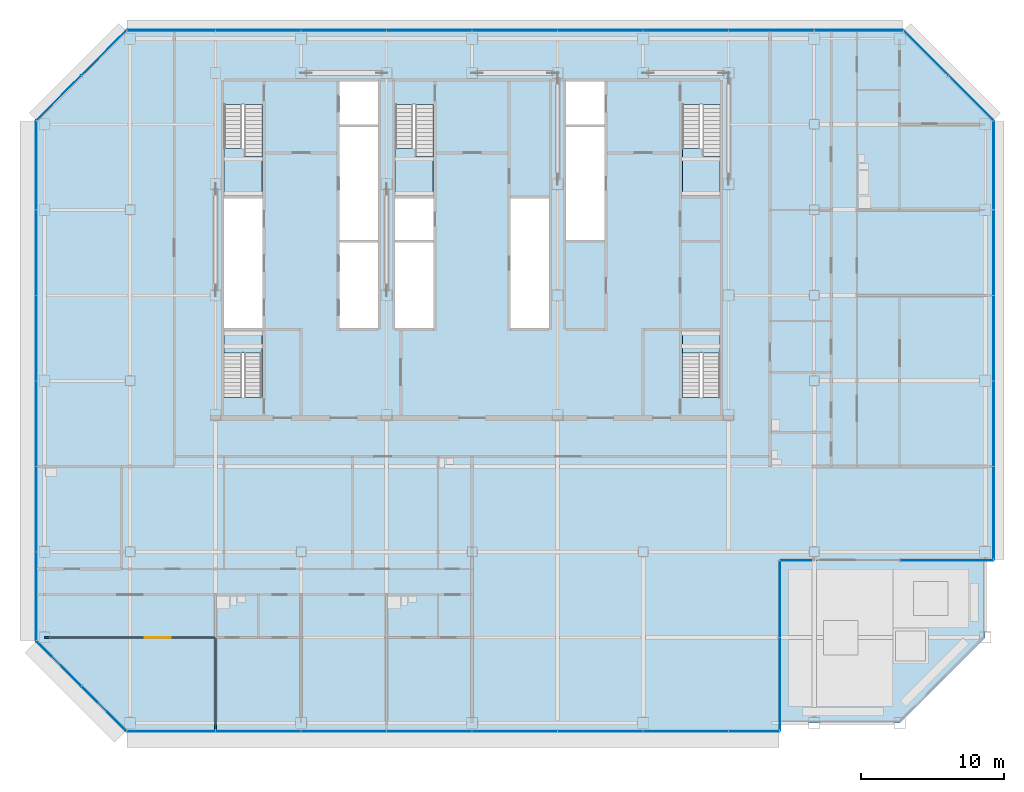
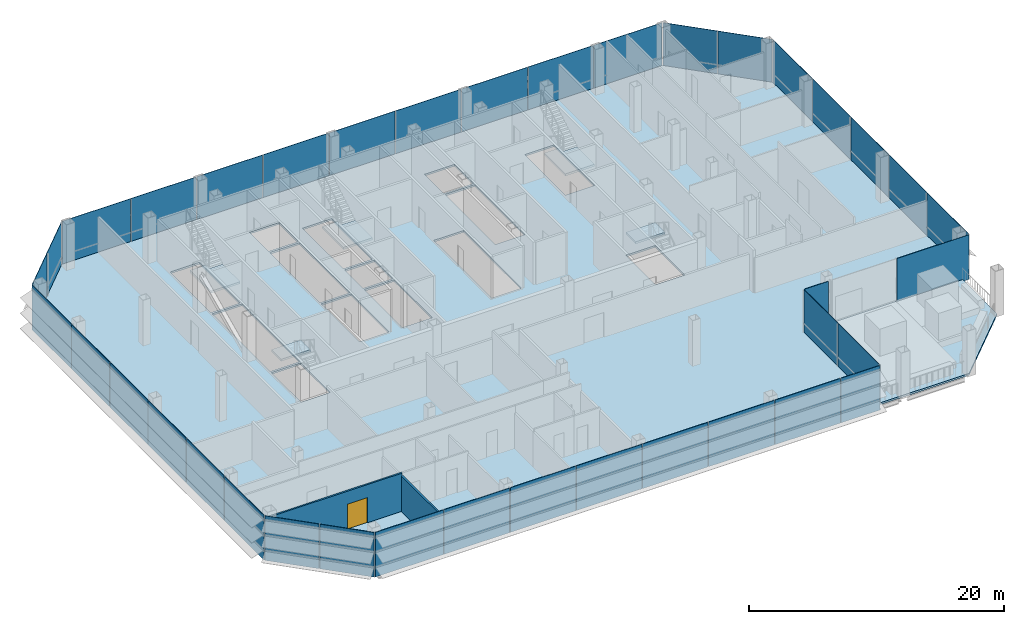
# One storey, part 18 of 28: 38 plates, 7 slabs, 2 walls, 1 door, 1 opening, 14 elements without a shape of their own.
"""IFC4 building model written with IfcOpenShell, lengths in metres."""

from ifc_helpers import new_model, si_unit, direction, frame, frame_2d, origin, origin_2d, place, context, subcontext, project, spatial, polyline, rectangle, outline, extrude, material, layer, layer_set, type_object, element, fill, aggregate, save


model = new_model("IFC4")

# Units and contexts
model_context = context("Model", 3, precision=1e-05, world=origin(), true_north=direction((0.0, 1.0)))
body_context = subcontext(model_context, "Body", "Model", "MODEL_VIEW")
ifc_project = project(units=[si_unit("LENGTHUNIT", "METRE"), si_unit("AREAUNIT", "SQUARE_METRE"), si_unit("VOLUMEUNIT", "CUBIC_METRE"), si_unit("PLANEANGLEUNIT", "RADIAN"), si_unit("MASSUNIT", "GRAM", prefix="KILO")], contexts=[model_context])

# Site, building, storey
site_placement = place(None, origin())
site = spatial("IfcSite", under=ifc_project, at=site_placement, CompositionType="ELEMENT")
building_placement = place(site_placement, origin())
building = spatial("IfcBuilding", under=site, at=building_placement, Name="Sorahane Residences", CompositionType="ELEMENT")
storey_placement = place(building_placement, frame((0.0, 0.0, 134.0)))
storey = spatial("IfcBuildingStorey", under=building, at=storey_placement, Name="L30", CompositionType="ELEMENT", Elevation=134.0)

# Slab
ifc_material_1 = material(Name="Concrete C35", Category="concrete")
ifc_layer_1 = layer(ifc_material_1, 0.179931640625)
ifc_layer_set_1 = layer_set([ifc_layer_1], Name="Composite floor slab 180 mm Concrete C35")
slab_type_1 = type_object("IfcSlabType", Name="Composite floor slab 180 mm Concrete C35", PredefinedType="FLOOR", material=ifc_layer_set_1)
slab_1_placement = place(storey_placement, frame((0.0, 0.0, -0.179931640625)))
element("IfcSlab", 1, at=slab_1_placement, inside=storey, type_object=slab_type_1, Name="Slab L30", PredefinedType="FLOOR", context=body_context, shape_type="SweptSolid", body=[
    extrude(outline(polyline([(-0.24853515625, -0.60009765625), (-6.60009765625, 5.75146484375), (-6.60009765625, 42.24853515625), (-0.24853515625, 48.60009765625), (54.24853515625, 48.60009765625), (60.60009765625, 42.24853515625), (60.60009765625, 11.39990234375), (45.60009765625, 11.39990234375), (45.60009765625, -0.60009765625), (-0.24853515625, -0.60009765625)]), holes=[polyline([(18.60009765625, 27.699951171875), (21.300048828125, 27.699951171875), (21.300048828125, 33.699951171875), (18.60009765625, 33.699951171875), (18.60009765625, 27.699951171875)]), polyline([(30.60009765625, 42.0), (33.300048828125, 42.0), (33.300048828125, 45.0), (30.60009765625, 45.0), (30.60009765625, 42.0)]), polyline([(14.699951171875, 27.699951171875), (17.39990234375, 27.699951171875), (17.39990234375, 33.699951171875), (14.699951171875, 33.699951171875), (14.699951171875, 27.699951171875)]), polyline([(14.699951171875, 42.0), (17.39990234375, 42.0), (17.39990234375, 45.0), (14.699951171875, 45.0), (14.699951171875, 42.0)]), polyline([(6.60009765625, 27.699951171875), (9.300048828125, 27.699951171875), (9.300048828125, 36.800048828125), (6.60009765625, 36.800048828125), (6.60009765625, 27.699951171875)]), polyline([(6.60009765625, 43.39990234375), (6.60009765625, 37.0), (9.25, 37.0), (9.25, 43.39990234375), (6.60009765625, 43.39990234375)]), polyline([(38.75, 43.39990234375), (38.75, 37.0), (41.39990234375, 37.0), (41.39990234375, 43.39990234375), (38.75, 43.39990234375)]), polyline([(18.60009765625, 43.39990234375), (18.60009765625, 37.0), (21.25, 37.0), (21.25, 43.39990234375), (18.60009765625, 43.39990234375)]), polyline([(9.25, 22.85009765625), (9.25, 27.5), (6.60009765625, 27.5), (6.60009765625, 22.85009765625), (9.25, 22.85009765625)]), polyline([(41.39990234375, 22.85009765625), (41.39990234375, 27.5), (38.75, 27.5), (38.75, 22.85009765625), (41.39990234375, 22.85009765625)]), polyline([(14.699951171875, 33.89990234375), (17.39990234375, 33.89990234375), (17.39990234375, 41.800048828125), (14.699951171875, 41.800048828125), (14.699951171875, 33.89990234375)]), polyline([(30.60009765625, 33.89990234375), (33.300048828125, 33.89990234375), (33.300048828125, 41.800048828125), (30.60009765625, 41.800048828125), (30.60009765625, 33.89990234375)]), polyline([(18.60009765625, 33.89990234375), (21.300048828125, 33.89990234375), (21.300048828125, 36.800048828125), (18.60009765625, 36.800048828125), (18.60009765625, 33.89990234375)]), polyline([(26.699951171875, 27.699951171875), (29.39990234375, 27.699951171875), (29.39990234375, 36.800048828125), (26.699951171875, 36.800048828125), (26.699951171875, 27.699951171875)])]), origin(), (0.0, 0.0, 1.0), 0.179931640625),
])

# Curtain wall, plates
ifc_material_2 = material(Name="Dark low-e glass and black anodised aluminium", Category="aluminium")
curtain_wall_type_1 = type_object("IfcCurtainWallType", Name="Curtain wall CW-1 Typical unitised wall", PredefinedType="NOTDEFINED", material=ifc_material_2)
curtain_wall_1_placement = place(storey_placement, origin())
curtain_wall_1 = element("IfcCurtainWall", 2, at=curtain_wall_1_placement, inside=storey, type_object=curtain_wall_type_1, Name="CW-1 curtain wall L30 S1", PredefinedType="NOTDEFINED")
ifc_material_3 = material(Name="Dark low-e glass with black ceramic frit", Category="glass")
ifc_layer_2 = layer(ifc_material_3, 0.0400390625)
ifc_layer_set_2 = layer_set([ifc_layer_2], Name="Curtain wall glass panel dark low-e with black frit spandrel band")
plate_type = type_object("IfcPlateType", Name="Curtain wall glass panel dark low-e with black frit spandrel band", PredefinedType="CURTAIN_PANEL", material=ifc_layer_set_2)
plate_1_placement = place(storey_placement, frame((2.88818359375, -0.60009765625, -0.18017578125), z_axis=(0.0, 0.0, 1.0), x_axis=(1.0, 0.0, 0.0)))
plate_1 = element("IfcPlate", 3, at=plate_1_placement, type_object=plate_type, Name="CW-1 glass panel L30 S1.1", PredefinedType="CURTAIN_PANEL", context=body_context, shape_type="SweptSolid", body=[
    extrude(rectangle(XDim=6.173583984375, YDim=0.0400390625, at=origin_2d()), origin(), (0.0, 0.0, 1.0), 4.280029296875),
])
plate_2_placement = place(storey_placement, frame((9.0, -0.60009765625, -0.18017578125), z_axis=(0.0, 0.0, 1.0), x_axis=(1.0, 0.0, 0.0)))
plate_2 = element("IfcPlate", 4, at=plate_2_placement, type_object=plate_type, Name="CW-1 glass panel L30 S1.2", PredefinedType="CURTAIN_PANEL", context=body_context, shape_type="SweptSolid", body=[
    extrude(rectangle(XDim=5.949951171875, YDim=0.0400390625, at=origin_2d()), origin(), (0.0, 0.0, 1.0), 4.280029296875),
])
plate_3_placement = place(storey_placement, frame((15.0, -0.60009765625, -0.18017578125), z_axis=(0.0, 0.0, 1.0), x_axis=(1.0, 0.0, 0.0)))
plate_3 = element("IfcPlate", 5, at=plate_3_placement, type_object=plate_type, Name="CW-1 glass panel L30 S1.3", PredefinedType="CURTAIN_PANEL", context=body_context, shape_type="SweptSolid", body=[
    extrude(rectangle(XDim=5.949951171875, YDim=0.0400390625, at=origin_2d()), origin(), (0.0, 0.0, 1.0), 4.280029296875),
])
plate_4_placement = place(storey_placement, frame((21.0, -0.60009765625, -0.18017578125), z_axis=(0.0, 0.0, 1.0), x_axis=(1.0, 0.0, 0.0)))
plate_4 = element("IfcPlate", 6, at=plate_4_placement, type_object=plate_type, Name="CW-1 glass panel L30 S1.4", PredefinedType="CURTAIN_PANEL", context=body_context, shape_type="SweptSolid", body=[
    extrude(rectangle(XDim=5.949951171875, YDim=0.0400390625, at=origin_2d()), origin(), (0.0, 0.0, 1.0), 4.280029296875),
])
plate_5_placement = place(storey_placement, frame((27.0, -0.60009765625, -0.18017578125), z_axis=(0.0, 0.0, 1.0), x_axis=(1.0, 0.0, 0.0)))
plate_5 = element("IfcPlate", 7, at=plate_5_placement, type_object=plate_type, Name="CW-1 glass panel L30 S1.5", PredefinedType="CURTAIN_PANEL", context=body_context, shape_type="SweptSolid", body=[
    extrude(rectangle(XDim=5.949951171875, YDim=0.0400390625, at=origin_2d()), origin(), (0.0, 0.0, 1.0), 4.280029296875),
])
plate_6_placement = place(storey_placement, frame((33.0, -0.60009765625, -0.18017578125), z_axis=(0.0, 0.0, 1.0), x_axis=(1.0, 0.0, 0.0)))
plate_6 = element("IfcPlate", 8, at=plate_6_placement, type_object=plate_type, Name="CW-1 glass panel L30 S1.6", PredefinedType="CURTAIN_PANEL", context=body_context, shape_type="SweptSolid", body=[
    extrude(rectangle(XDim=5.949951171875, YDim=0.0400390625, at=origin_2d()), origin(), (0.0, 0.0, 1.0), 4.280029296875),
])
plate_7_placement = place(storey_placement, frame((39.0, -0.60009765625, -0.18017578125), z_axis=(0.0, 0.0, 1.0), x_axis=(1.0, 0.0, 0.0)))
plate_7 = element("IfcPlate", 9, at=plate_7_placement, type_object=plate_type, Name="CW-1 glass panel L30 S1.7", PredefinedType="CURTAIN_PANEL", context=body_context, shape_type="SweptSolid", body=[
    extrude(rectangle(XDim=5.949951171875, YDim=0.0400390625, at=origin_2d()), origin(), (0.0, 0.0, 1.0), 4.280029296875),
])
plate_8_placement = place(storey_placement, frame((43.78759765625, -0.60009765625, -0.18017578125), z_axis=(0.0, 0.0, 1.0), x_axis=(1.0, 0.0, 0.0)))
plate_8 = element("IfcPlate", 10, at=plate_8_placement, type_object=plate_type, Name="CW-1 glass panel L30 S1.8", PredefinedType="CURTAIN_PANEL", context=body_context, shape_type="SweptSolid", body=[
    extrude(rectangle(XDim=3.52490234375, YDim=0.0400390625, at=origin_2d()), origin(), (0.0, 0.0, 1.0), 4.280029296875),
])
aggregate(curtain_wall_1, [plate_1, plate_2, plate_3, plate_4, plate_5, plate_6, plate_7, plate_8])

curtain_wall_2_placement = place(storey_placement, origin())
curtain_wall_2 = element("IfcCurtainWall", 11, at=curtain_wall_2_placement, inside=storey, type_object=curtain_wall_type_1, Name="CW-1 curtain wall L30 E1", PredefinedType="NOTDEFINED")
plate_9_placement = place(storey_placement, frame((45.60009765625, 2.71240234375, -0.18017578125), z_axis=(0.0, 0.0, 1.0), x_axis=(0.0, 1.0, 0.0)))
plate_9 = element("IfcPlate", 12, at=plate_9_placement, type_object=plate_type, Name="CW-1 glass panel L30 E1.1", PredefinedType="CURTAIN_PANEL", context=body_context, shape_type="SweptSolid", body=[
    extrude(rectangle(XDim=6.52490234375, YDim=0.0400390625, at=origin_2d()), origin(), (0.0, 0.0, 1.0), 4.280029296875),
])
plate_10_placement = place(storey_placement, frame((45.60009765625, 8.6875, -0.18017578125), z_axis=(0.0, 0.0, 1.0), x_axis=(0.0, 1.0, 0.0)))
plate_10 = element("IfcPlate", 13, at=plate_10_placement, type_object=plate_type, Name="CW-1 glass panel L30 E1.2", PredefinedType="CURTAIN_PANEL", context=body_context, shape_type="SweptSolid", body=[
    extrude(rectangle(XDim=5.324951171875, YDim=0.0400390625, at=origin_2d()), origin(), (0.0, 0.0, 1.0), 4.280029296875),
])
aggregate(curtain_wall_2, [plate_9, plate_10])

curtain_wall_3_placement = place(storey_placement, origin())
curtain_wall_3 = element("IfcCurtainWall", 14, at=curtain_wall_3_placement, inside=storey, type_object=curtain_wall_type_1, Name="CW-1 curtain wall L30 S2", PredefinedType="NOTDEFINED")
plate_11_placement = place(storey_placement, frame((46.72509765625, 11.39990234375, -0.18017578125), z_axis=(0.0, 0.0, 1.0), x_axis=(1.0, 0.0, 0.0)))
plate_11 = element("IfcPlate", 15, at=plate_11_placement, type_object=plate_type, Name="CW-1 glass panel L30 S2.1", PredefinedType="CURTAIN_PANEL", context=body_context, shape_type="SweptSolid", body=[
    extrude(rectangle(XDim=2.14990234375, YDim=0.0400390625, at=origin_2d()), origin(), (0.0, 0.0, 1.0), 4.280029296875),
])
plate_12_placement = place(storey_placement, frame((57.28759765625, 11.39990234375, -0.18017578125), z_axis=(0.0, 0.0, 1.0), x_axis=(1.0, 0.0, 0.0)))
plate_12 = element("IfcPlate", 16, at=plate_12_placement, type_object=plate_type, Name="CW-1 glass panel L30 S2.3", PredefinedType="CURTAIN_PANEL", context=body_context, shape_type="SweptSolid", body=[
    extrude(rectangle(XDim=6.52490234375, YDim=0.0400390625, at=origin_2d()), origin(), (0.0, 0.0, 1.0), 4.280029296875),
])
aggregate(curtain_wall_3, [plate_11, plate_12])

curtain_wall_4_placement = place(storey_placement, origin())
curtain_wall_4 = element("IfcCurtainWall", 17, at=curtain_wall_4_placement, inside=storey, type_object=curtain_wall_type_1, Name="CW-1 curtain wall L30 E2", PredefinedType="NOTDEFINED")
plate_13_placement = place(storey_placement, frame((60.60009765625, 14.71240234375, -0.18017578125), z_axis=(0.0, 0.0, 1.0), x_axis=(0.0, 1.0, 0.0)))
plate_13 = element("IfcPlate", 18, at=plate_13_placement, type_object=plate_type, Name="CW-1 glass panel L30 E2.1", PredefinedType="CURTAIN_PANEL", context=body_context, shape_type="SweptSolid", body=[
    extrude(rectangle(XDim=6.52490234375, YDim=0.0400390625, at=origin_2d()), origin(), (0.0, 0.0, 1.0), 4.280029296875),
])
plate_14_placement = place(storey_placement, frame((60.60009765625, 21.0, -0.18017578125), z_axis=(0.0, 0.0, 1.0), x_axis=(0.0, 1.0, 0.0)))
plate_14 = element("IfcPlate", 19, at=plate_14_placement, type_object=plate_type, Name="CW-1 glass panel L30 E2.2", PredefinedType="CURTAIN_PANEL", context=body_context, shape_type="SweptSolid", body=[
    extrude(rectangle(XDim=5.949951171875, YDim=0.0400390625, at=origin_2d()), origin(), (0.0, 0.0, 1.0), 4.280029296875),
])
plate_15_placement = place(storey_placement, frame((60.60009765625, 27.0, -0.18017578125), z_axis=(0.0, 0.0, 1.0), x_axis=(0.0, 1.0, 0.0)))
plate_15 = element("IfcPlate", 20, at=plate_15_placement, type_object=plate_type, Name="CW-1 glass panel L30 E2.3", PredefinedType="CURTAIN_PANEL", context=body_context, shape_type="SweptSolid", body=[
    extrude(rectangle(XDim=5.949951171875, YDim=0.0400390625, at=origin_2d()), origin(), (0.0, 0.0, 1.0), 4.280029296875),
])
plate_16_placement = place(storey_placement, frame((60.60009765625, 33.0, -0.18017578125), z_axis=(0.0, 0.0, 1.0), x_axis=(0.0, 1.0, 0.0)))
plate_16 = element("IfcPlate", 21, at=plate_16_placement, type_object=plate_type, Name="CW-1 glass panel L30 E2.4", PredefinedType="CURTAIN_PANEL", context=body_context, shape_type="SweptSolid", body=[
    extrude(rectangle(XDim=5.949951171875, YDim=0.0400390625, at=origin_2d()), origin(), (0.0, 0.0, 1.0), 4.280029296875),
])
plate_17_placement = place(storey_placement, frame((60.60009765625, 39.11181640625, -0.18017578125), z_axis=(0.0, 0.0, 1.0), x_axis=(0.0, 1.0, 0.0)))
plate_17 = element("IfcPlate", 22, at=plate_17_placement, type_object=plate_type, Name="CW-1 glass panel L30 E2.5", PredefinedType="CURTAIN_PANEL", context=body_context, shape_type="SweptSolid", body=[
    extrude(rectangle(XDim=6.173583984375, YDim=0.0400390625, at=origin_2d()), origin(), (0.0, 0.0, 1.0), 4.280029296875),
])
aggregate(curtain_wall_4, [plate_13, plate_14, plate_15, plate_16, plate_17])

ifc_material_4 = material(Name="Dark low-e glass and black anodised aluminium", Category="aluminium")
curtain_wall_type_2 = type_object("IfcCurtainWallType", Name="Curtain wall CW-2 Chamfer unitised wall", PredefinedType="NOTDEFINED", material=ifc_material_4)
curtain_wall_5_placement = place(storey_placement, origin())
curtain_wall_5 = element("IfcCurtainWall", 23, at=curtain_wall_5_placement, inside=storey, type_object=curtain_wall_type_2, Name="CW-2 curtain wall L30 NE1", PredefinedType="NOTDEFINED")
plate_18_placement = place(storey_placement, frame((59.003173828125, 43.84521484375, -0.18017578125), z_axis=(0.0, 0.0, 1.0), x_axis=(-0.707106781187, 0.707106781187, 0.0)))
plate_18 = element("IfcPlate", 24, at=plate_18_placement, type_object=plate_type, Name="CW-2 glass panel L30 NE1.1", PredefinedType="CURTAIN_PANEL", context=body_context, shape_type="SweptSolid", body=[
    extrude(rectangle(XDim=4.416259765625, YDim=0.0400390625, at=origin_2d()), origin(), (0.0, 0.0, 1.0), 4.280029296875),
])
plate_19_placement = place(storey_placement, frame((55.84521484375, 47.003173828125, -0.18017578125), z_axis=(0.0, 0.0, 1.0), x_axis=(-0.707106781187, 0.707106781187, 0.0)))
plate_19 = element("IfcPlate", 25, at=plate_19_placement, type_object=plate_type, Name="CW-2 glass panel L30 NE1.2", PredefinedType="CURTAIN_PANEL", context=body_context, shape_type="SweptSolid", body=[
    extrude(rectangle(XDim=4.416259765625, YDim=0.0400390625, at=origin_2d()), origin(), (0.0, 0.0, 1.0), 4.280029296875),
])
aggregate(curtain_wall_5, [plate_18, plate_19])

curtain_wall_6_placement = place(storey_placement, origin())
curtain_wall_6 = element("IfcCurtainWall", 26, at=curtain_wall_6_placement, inside=storey, type_object=curtain_wall_type_1, Name="CW-1 curtain wall L30 N1", PredefinedType="NOTDEFINED")
plate_20_placement = place(storey_placement, frame((51.11181640625, 48.60009765625, -0.18017578125), z_axis=(0.0, 0.0, 1.0), x_axis=(-1.0, 0.0, 0.0)))
plate_20 = element("IfcPlate", 27, at=plate_20_placement, type_object=plate_type, Name="CW-1 glass panel L30 N1.1", PredefinedType="CURTAIN_PANEL", context=body_context, shape_type="SweptSolid", body=[
    extrude(rectangle(XDim=6.173583984375, YDim=0.0400390625, at=origin_2d()), origin(), (0.0, 0.0, 1.0), 4.280029296875),
])
plate_21_placement = place(storey_placement, frame((45.0, 48.60009765625, -0.18017578125), z_axis=(0.0, 0.0, 1.0), x_axis=(-1.0, 0.0, 0.0)))
plate_21 = element("IfcPlate", 28, at=plate_21_placement, type_object=plate_type, Name="CW-1 glass panel L30 N1.2", PredefinedType="CURTAIN_PANEL", context=body_context, shape_type="SweptSolid", body=[
    extrude(rectangle(XDim=5.949951171875, YDim=0.0400390625, at=origin_2d()), origin(), (0.0, 0.0, 1.0), 4.280029296875),
])
plate_22_placement = place(storey_placement, frame((39.0, 48.60009765625, -0.18017578125), z_axis=(0.0, 0.0, 1.0), x_axis=(-1.0, 0.0, 0.0)))
plate_22 = element("IfcPlate", 29, at=plate_22_placement, type_object=plate_type, Name="CW-1 glass panel L30 N1.3", PredefinedType="CURTAIN_PANEL", context=body_context, shape_type="SweptSolid", body=[
    extrude(rectangle(XDim=5.949951171875, YDim=0.0400390625, at=origin_2d()), origin(), (0.0, 0.0, 1.0), 4.280029296875),
])
plate_23_placement = place(storey_placement, frame((33.0, 48.60009765625, -0.18017578125), z_axis=(0.0, 0.0, 1.0), x_axis=(-1.0, 0.0, 0.0)))
plate_23 = element("IfcPlate", 30, at=plate_23_placement, type_object=plate_type, Name="CW-1 glass panel L30 N1.4", PredefinedType="CURTAIN_PANEL", context=body_context, shape_type="SweptSolid", body=[
    extrude(rectangle(XDim=5.949951171875, YDim=0.0400390625, at=origin_2d()), origin(), (0.0, 0.0, 1.0), 4.280029296875),
])
plate_24_placement = place(storey_placement, frame((27.0, 48.60009765625, -0.18017578125), z_axis=(0.0, 0.0, 1.0), x_axis=(-1.0, 0.0, 0.0)))
plate_24 = element("IfcPlate", 31, at=plate_24_placement, type_object=plate_type, Name="CW-1 glass panel L30 N1.5", PredefinedType="CURTAIN_PANEL", context=body_context, shape_type="SweptSolid", body=[
    extrude(rectangle(XDim=5.949951171875, YDim=0.0400390625, at=origin_2d()), origin(), (0.0, 0.0, 1.0), 4.280029296875),
])
plate_25_placement = place(storey_placement, frame((21.0, 48.60009765625, -0.18017578125), z_axis=(0.0, 0.0, 1.0), x_axis=(-1.0, 0.0, 0.0)))
plate_25 = element("IfcPlate", 32, at=plate_25_placement, type_object=plate_type, Name="CW-1 glass panel L30 N1.6", PredefinedType="CURTAIN_PANEL", context=body_context, shape_type="SweptSolid", body=[
    extrude(rectangle(XDim=5.949951171875, YDim=0.0400390625, at=origin_2d()), origin(), (0.0, 0.0, 1.0), 4.280029296875),
])
plate_26_placement = place(storey_placement, frame((15.0, 48.60009765625, -0.18017578125), z_axis=(0.0, 0.0, 1.0), x_axis=(-1.0, 0.0, 0.0)))
plate_26 = element("IfcPlate", 33, at=plate_26_placement, type_object=plate_type, Name="CW-1 glass panel L30 N1.7", PredefinedType="CURTAIN_PANEL", context=body_context, shape_type="SweptSolid", body=[
    extrude(rectangle(XDim=5.949951171875, YDim=0.0400390625, at=origin_2d()), origin(), (0.0, 0.0, 1.0), 4.280029296875),
])
plate_27_placement = place(storey_placement, frame((9.0, 48.60009765625, -0.18017578125), z_axis=(0.0, 0.0, 1.0), x_axis=(-1.0, 0.0, 0.0)))
plate_27 = element("IfcPlate", 34, at=plate_27_placement, type_object=plate_type, Name="CW-1 glass panel L30 N1.8", PredefinedType="CURTAIN_PANEL", context=body_context, shape_type="SweptSolid", body=[
    extrude(rectangle(XDim=5.949951171875, YDim=0.0400390625, at=origin_2d()), origin(), (0.0, 0.0, 1.0), 4.280029296875),
])
plate_28_placement = place(storey_placement, frame((2.88818359375, 48.60009765625, -0.18017578125), z_axis=(0.0, 0.0, 1.0), x_axis=(-1.0, 0.0, 0.0)))
plate_28 = element("IfcPlate", 35, at=plate_28_placement, type_object=plate_type, Name="CW-1 glass panel L30 N1.9", PredefinedType="CURTAIN_PANEL", context=body_context, shape_type="SweptSolid", body=[
    extrude(rectangle(XDim=6.173583984375, YDim=0.0400390625, at=origin_2d()), origin(), (0.0, 0.0, 1.0), 4.280029296875),
])
aggregate(curtain_wall_6, [plate_20, plate_21, plate_22, plate_23, plate_24, plate_25, plate_26, plate_27, plate_28])

curtain_wall_7_placement = place(storey_placement, origin())
curtain_wall_7 = element("IfcCurtainWall", 36, at=curtain_wall_7_placement, inside=storey, type_object=curtain_wall_type_2, Name="CW-2 curtain wall L30 NW1", PredefinedType="NOTDEFINED")
plate_29_placement = place(storey_placement, frame((-1.84521484375, 47.003173828125, -0.18017578125), z_axis=(0.0, 0.0, 1.0), x_axis=(-0.707106781187, -0.707106781187, 0.0)))
plate_29 = element("IfcPlate", 37, at=plate_29_placement, type_object=plate_type, Name="CW-2 glass panel L30 NW1.1", PredefinedType="CURTAIN_PANEL", context=body_context, shape_type="SweptSolid", body=[
    extrude(rectangle(XDim=4.416259765625, YDim=0.0400390625, at=origin_2d()), origin(), (0.0, 0.0, 1.0), 4.280029296875),
])
plate_30_placement = place(storey_placement, frame((-5.003173828125, 43.84521484375, -0.18017578125), z_axis=(0.0, 0.0, 1.0), x_axis=(-0.707106781187, -0.707106781187, 0.0)))
plate_30 = element("IfcPlate", 38, at=plate_30_placement, type_object=plate_type, Name="CW-2 glass panel L30 NW1.2", PredefinedType="CURTAIN_PANEL", context=body_context, shape_type="SweptSolid", body=[
    extrude(rectangle(XDim=4.416259765625, YDim=0.0400390625, at=origin_2d()), origin(), (0.0, 0.0, 1.0), 4.280029296875),
])
aggregate(curtain_wall_7, [plate_29, plate_30])

curtain_wall_8_placement = place(storey_placement, origin())
curtain_wall_8 = element("IfcCurtainWall", 39, at=curtain_wall_8_placement, inside=storey, type_object=curtain_wall_type_1, Name="CW-1 curtain wall L30 W1", PredefinedType="NOTDEFINED")
plate_31_placement = place(storey_placement, frame((-6.60009765625, 39.11181640625, -0.18017578125), z_axis=(0.0, 0.0, 1.0), x_axis=(0.0, -1.0, 0.0)))
plate_31 = element("IfcPlate", 40, at=plate_31_placement, type_object=plate_type, Name="CW-1 glass panel L30 W1.1", PredefinedType="CURTAIN_PANEL", context=body_context, shape_type="SweptSolid", body=[
    extrude(rectangle(XDim=6.173583984375, YDim=0.0400390625, at=origin_2d()), origin(), (0.0, 0.0, 1.0), 4.280029296875),
])
plate_32_placement = place(storey_placement, frame((-6.60009765625, 33.0, -0.18017578125), z_axis=(0.0, 0.0, 1.0), x_axis=(0.0, -1.0, 0.0)))
plate_32 = element("IfcPlate", 41, at=plate_32_placement, type_object=plate_type, Name="CW-1 glass panel L30 W1.2", PredefinedType="CURTAIN_PANEL", context=body_context, shape_type="SweptSolid", body=[
    extrude(rectangle(XDim=5.949951171875, YDim=0.0400390625, at=origin_2d()), origin(), (0.0, 0.0, 1.0), 4.280029296875),
])
plate_33_placement = place(storey_placement, frame((-6.60009765625, 27.0, -0.18017578125), z_axis=(0.0, 0.0, 1.0), x_axis=(0.0, -1.0, 0.0)))
plate_33 = element("IfcPlate", 42, at=plate_33_placement, type_object=plate_type, Name="CW-1 glass panel L30 W1.3", PredefinedType="CURTAIN_PANEL", context=body_context, shape_type="SweptSolid", body=[
    extrude(rectangle(XDim=5.949951171875, YDim=0.0400390625, at=origin_2d()), origin(), (0.0, 0.0, 1.0), 4.280029296875),
])
plate_34_placement = place(storey_placement, frame((-6.60009765625, 21.0, -0.18017578125), z_axis=(0.0, 0.0, 1.0), x_axis=(0.0, -1.0, 0.0)))
plate_34 = element("IfcPlate", 43, at=plate_34_placement, type_object=plate_type, Name="CW-1 glass panel L30 W1.4", PredefinedType="CURTAIN_PANEL", context=body_context, shape_type="SweptSolid", body=[
    extrude(rectangle(XDim=5.949951171875, YDim=0.0400390625, at=origin_2d()), origin(), (0.0, 0.0, 1.0), 4.280029296875),
])
plate_35_placement = place(storey_placement, frame((-6.60009765625, 15.0, -0.18017578125), z_axis=(0.0, 0.0, 1.0), x_axis=(0.0, -1.0, 0.0)))
plate_35 = element("IfcPlate", 44, at=plate_35_placement, type_object=plate_type, Name="CW-1 glass panel L30 W1.5", PredefinedType="CURTAIN_PANEL", context=body_context, shape_type="SweptSolid", body=[
    extrude(rectangle(XDim=5.949951171875, YDim=0.0400390625, at=origin_2d()), origin(), (0.0, 0.0, 1.0), 4.280029296875),
])
plate_36_placement = place(storey_placement, frame((-6.60009765625, 8.88818359375, -0.18017578125), z_axis=(0.0, 0.0, 1.0), x_axis=(0.0, -1.0, 0.0)))
plate_36 = element("IfcPlate", 45, at=plate_36_placement, type_object=plate_type, Name="CW-1 glass panel L30 W1.6", PredefinedType="CURTAIN_PANEL", context=body_context, shape_type="SweptSolid", body=[
    extrude(rectangle(XDim=6.173583984375, YDim=0.0400390625, at=origin_2d()), origin(), (0.0, 0.0, 1.0), 4.280029296875),
])
aggregate(curtain_wall_8, [plate_31, plate_32, plate_33, plate_34, plate_35, plate_36])

curtain_wall_9_placement = place(storey_placement, origin())
curtain_wall_9 = element("IfcCurtainWall", 46, at=curtain_wall_9_placement, inside=storey, type_object=curtain_wall_type_2, Name="CW-2 curtain wall L30 SW1", PredefinedType="NOTDEFINED")
plate_37_placement = place(storey_placement, frame((-5.003173828125, 4.15478515625, -0.18017578125), z_axis=(0.0, 0.0, 1.0), x_axis=(0.707106781187, -0.707106781187, 0.0)))
plate_37 = element("IfcPlate", 47, at=plate_37_placement, type_object=plate_type, Name="CW-2 glass panel L30 SW1.1", PredefinedType="CURTAIN_PANEL", context=body_context, shape_type="SweptSolid", body=[
    extrude(rectangle(XDim=4.416259765625, YDim=0.0400390625, at=origin_2d()), origin(), (0.0, 0.0, 1.0), 4.280029296875),
])
plate_38_placement = place(storey_placement, frame((-1.84521484375, 0.996826171875, -0.18017578125), z_axis=(0.0, 0.0, 1.0), x_axis=(0.707106781187, -0.707106781187, 0.0)))
plate_38 = element("IfcPlate", 48, at=plate_38_placement, type_object=plate_type, Name="CW-2 glass panel L30 SW1.2", PredefinedType="CURTAIN_PANEL", context=body_context, shape_type="SweptSolid", body=[
    extrude(rectangle(XDim=4.416259765625, YDim=0.0400390625, at=origin_2d()), origin(), (0.0, 0.0, 1.0), 4.280029296875),
])
aggregate(curtain_wall_9, [plate_37, plate_38])

# Stair, slab
ifc_material_5 = material(Name="Concrete C40", Category="concrete")
stair_type = type_object("IfcStairType", Name="Dog-leg stair 1250 Concrete C40", PredefinedType="HALF_TURN_STAIR", material=ifc_material_5)
stair_1_placement = place(storey_placement, origin())
stair_1 = element("IfcStair", 49, at=stair_1_placement, inside=storey, type_object=stair_type, Name="L30 Stair S1", PredefinedType="HALF_TURN_STAIR")
ifc_material_6 = material(Name="Concrete C40", Category="concrete")
ifc_layer_3 = layer(ifc_material_6, 0.199951171875)
ifc_layer_set_3 = layer_set([ifc_layer_3], Name="Stair landing 200 Concrete C40")
slab_type_2 = type_object("IfcSlabType", Name="Stair landing 200 Concrete C40", PredefinedType="LANDING", material=ifc_layer_set_3)
slab_2_placement = place(storey_placement, frame((0.0, 0.0, 1.830810546875)))
slab_2 = element("IfcSlab", 50, at=slab_2_placement, type_object=slab_type_2, Name="S1 landing 1", PredefinedType="LANDING", context=body_context, shape_type="SweptSolid", body=[
    extrude(outline(polyline([(6.60009765625, 40.320068359375), (6.60009765625, 37.0), (9.25, 37.0), (9.25, 39.760009765625), (8.0, 39.760009765625), (8.0, 40.320068359375), (6.60009765625, 40.320068359375)])), origin(), (0.0, 0.0, 1.0), 0.199951171875),
])
aggregate(stair_1, [slab_2])

stair_2_placement = place(storey_placement, origin())
stair_2 = element("IfcStair", 51, at=stair_2_placement, inside=storey, type_object=stair_type, Name="L30 Stair S2", PredefinedType="HALF_TURN_STAIR")
slab_3_placement = place(storey_placement, frame((0.0, 0.0, 1.830810546875)))
slab_3 = element("IfcSlab", 52, at=slab_3_placement, type_object=slab_type_2, Name="S2 landing 1", PredefinedType="LANDING", context=body_context, shape_type="SweptSolid", body=[
    extrude(outline(polyline([(38.75, 40.320068359375), (38.75, 37.0), (41.39990234375, 37.0), (41.39990234375, 39.760009765625), (40.14990234375, 39.760009765625), (40.14990234375, 40.320068359375), (38.75, 40.320068359375)])), origin(), (0.0, 0.0, 1.0), 0.199951171875),
])
aggregate(stair_2, [slab_3])

stair_3_placement = place(storey_placement, origin())
stair_3 = element("IfcStair", 53, at=stair_3_placement, inside=storey, type_object=stair_type, Name="L30 Stair S3", PredefinedType="HALF_TURN_STAIR")
slab_4_placement = place(storey_placement, frame((0.0, 0.0, 1.830810546875)))
slab_4 = element("IfcSlab", 54, at=slab_4_placement, type_object=slab_type_2, Name="S3 landing 1", PredefinedType="LANDING", context=body_context, shape_type="SweptSolid", body=[
    extrude(outline(polyline([(18.60009765625, 40.320068359375), (18.60009765625, 37.0), (21.25, 37.0), (21.25, 39.760009765625), (20.0, 39.760009765625), (20.0, 40.320068359375), (18.60009765625, 40.320068359375)])), origin(), (0.0, 0.0, 1.0), 0.199951171875),
])
aggregate(stair_3, [slab_4])

stair_4_placement = place(storey_placement, origin())
stair_4 = element("IfcStair", 55, at=stair_4_placement, inside=storey, type_object=stair_type, Name="L30 Stair S4", PredefinedType="HALF_TURN_STAIR")
slab_5_placement = place(storey_placement, frame((0.0, 0.0, 2.0)))
slab_5 = element("IfcSlab", 56, at=slab_5_placement, type_object=slab_type_2, Name="S4 landing 1", PredefinedType="LANDING", context=body_context, shape_type="SweptSolid", body=[
    extrude(outline(polyline([(9.25, 25.969970703125), (9.25, 27.5), (6.60009765625, 27.5), (6.60009765625, 25.969970703125), (9.25, 25.969970703125)])), origin(), (0.0, 0.0, 1.0), 0.199951171875),
])
aggregate(stair_4, [slab_5])

stair_5_placement = place(storey_placement, origin())
stair_5 = element("IfcStair", 57, at=stair_5_placement, inside=storey, type_object=stair_type, Name="L30 Stair S5", PredefinedType="HALF_TURN_STAIR")
slab_6_placement = place(storey_placement, frame((0.0, 0.0, 2.0)))
slab_6 = element("IfcSlab", 58, at=slab_6_placement, type_object=slab_type_2, Name="S5 landing 1", PredefinedType="LANDING", context=body_context, shape_type="SweptSolid", body=[
    extrude(outline(polyline([(41.39990234375, 25.969970703125), (41.39990234375, 27.5), (38.75, 27.5), (38.75, 25.969970703125), (41.39990234375, 25.969970703125)])), origin(), (0.0, 0.0, 1.0), 0.199951171875),
])
aggregate(stair_5, [slab_6])

# Slab
ifc_material_7 = material(Name="Concrete C35", Category="concrete")
ifc_layer_4 = layer(ifc_material_7, 0.179931640625)
ifc_layer_set_4 = layer_set([ifc_layer_4], Name="Terrace slab Concrete C35 paved")
slab_type_3 = type_object("IfcSlabType", Name="Terrace slab Concrete C35 paved", PredefinedType="FLOOR", material=ifc_layer_set_4)
slab_7_placement = place(storey_placement, frame((0.0, 0.0, -0.179931640625)))
element("IfcSlab", 59, at=slab_7_placement, inside=storey, type_object=slab_type_3, Name="Terrace slab L30.1", PredefinedType="FLOOR", context=body_context, shape_type="SweptSolid", body=[
    extrude(outline(polyline([(54.0, 0.0), (45.60009765625, 0.0), (45.60009765625, 11.39990234375), (60.0, 11.39990234375), (60.0, 6.0), (54.0, 0.0)])), origin(), (0.0, 0.0, 1.0), 0.179931640625),
])

# Wall
ifc_material_8 = material(Name="Gypsum board partition on steel studs", Category="steel")
ifc_layer_5 = layer(ifc_material_8, 0.14990234375)
ifc_layer_set_5 = layer_set([ifc_layer_5], Name="Partition 150 EI 90")
wall_type = type_object("IfcWallType", Name="Partition 150 EI 90", PredefinedType="PARTITIONING", material=ifc_layer_set_5)
wall_1_placement = place(storey_placement, frame((6.0, -0.60009765625, 0.0), z_axis=(0.0, 0.0, 1.0), x_axis=(0.0, 1.0, 0.0)))
element("IfcWall", 60, at=wall_1_placement, inside=storey, type_object=wall_type, Name="L30 partition", PredefinedType="PARTITIONING", context=body_context, shape_type="SweptSolid", body=[
    extrude(rectangle(XDim=6.60009765625, YDim=0.14990234375, at=frame_2d((3.300048828125, 0.0))), origin(), (0.0, 0.0, 1.0), 3.39990234375),
])

# Wall, opening, door
wall_2_placement = place(storey_placement, frame((-6.0, 6.0, 0.0), z_axis=(0.0, 0.0, 1.0), x_axis=(1.0, 0.0, 0.0)))
wall_2 = element("IfcWall", 61, at=wall_2_placement, inside=storey, type_object=wall_type, Name="L30 partition", PredefinedType="PARTITIONING", context=body_context, shape_type="SweptSolid", body=[
    extrude(rectangle(XDim=12.0, YDim=0.14990234375, at=frame_2d((6.0, 0.0))), origin(), (0.0, 0.0, 1.0), 3.64990234375),
])
opening_placement = place(wall_2_placement, frame((7.0400390625, 0.0, 0.0)))
opening = element("IfcOpeningElement", 62, at=opening_placement, cuts=wall_2, Name="Opening L30-10", PredefinedType="OPENING", context=body_context, shape_type="SweptSolid", body=[
    extrude(rectangle(XDim=1.800048828125, YDim=2.39990234375, at=frame_2d((0.89990234375, 1.199951171875))), frame((0.0, 0.0849609375, 0.0), z_axis=(0.0, -1.0, 0.0), x_axis=(1.0, 0.0, 0.0)), (0.0, 0.0, 1.0), 0.169921875),
])
ifc_material_9 = material(Name="Timber veneered fire door", Category="wood")
door_type = type_object("IfcDoorType", Name="Double door 1800x2400 FD30", OperationType="NOTDEFINED", PredefinedType="DOOR", material=ifc_material_9)
door_placement = place(opening_placement, frame((1.800048828125, 0.0, 0.0), z_axis=(0.0, 0.0, 1.0), x_axis=(-1.0, 0.0, 0.0)))
door = element("IfcDoor", 63, at=door_placement, inside=storey, type_object=door_type, Name="Double door L30-10", OperationType="SINGLE_SWING_LEFT", OverallHeight=2.39990234375, OverallWidth=1.800048828125, PredefinedType="DOOR", context=body_context, shape_type="SweptSolid", body=[
    extrude(rectangle(XDim=1.800048828125, YDim=2.39990234375, at=frame_2d((0.89990234375, 1.199951171875))), frame((0.0, 0.02490234375, 0.0), z_axis=(0.0, -1.0, 0.0), x_axis=(1.0, 0.0, 0.0)), (0.0, 0.0, 1.0), 0.050048828125),
])
fill(opening, door)

save(model, "model.ifc")
